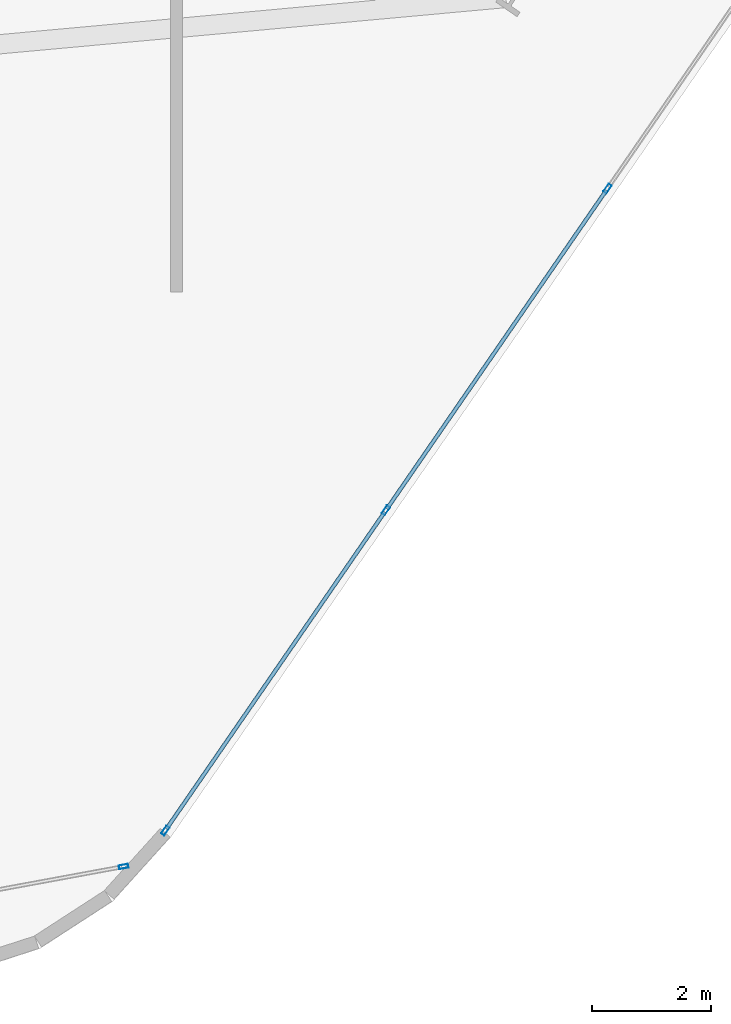
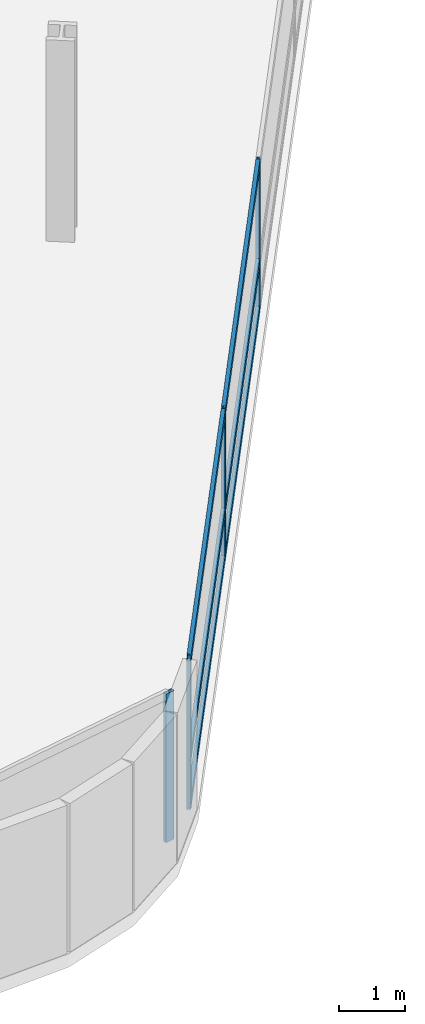
# One storey, part 8 of 27: 10 members, 2 elements without a shape of their own.
"""IFC4 building model written with IfcOpenShell, lengths in metres."""

from ifc_helpers import new_model, si_unit, direction, frame, origin, origin_2d, place, context, subcontext, project, spatial, hollow_rectangle, extrude, material, layer, layer_set, material_profile, profile_set, type_object, element, aggregate, save


model = new_model("IFC4")

# Units and contexts
model_context = context("Model", 3, precision=1e-05, world=origin(), true_north=direction((0.0, 1.0)))
body_context = subcontext(model_context, "Body", "Model", "MODEL_VIEW")
ifc_project = project(units=[si_unit("LENGTHUNIT", "METRE"), si_unit("AREAUNIT", "SQUARE_METRE"), si_unit("VOLUMEUNIT", "CUBIC_METRE"), si_unit("PLANEANGLEUNIT", "RADIAN"), si_unit("MASSUNIT", "GRAM", prefix="KILO")], contexts=[model_context])

# Site, building, storey
site_placement = place(None, origin())
site = spatial("IfcSite", under=ifc_project, at=site_placement, CompositionType="ELEMENT")
building_placement = place(site_placement, origin())
building = spatial("IfcBuilding", under=site, at=building_placement, Name="Varnelok Gate Tower", CompositionType="ELEMENT")
storey_placement = place(building_placement, frame((0.0, 0.0, 60.300048828125)))
storey = spatial("IfcBuildingStorey", under=building, at=storey_placement, Name="L14", CompositionType="ELEMENT", Elevation=60.300048828125)

# Curtain wall, members
ifc_material = material(Name="Anodized Aluminum Alloy 6063-T6", Category="aluminium")
ifc_layer_1 = layer(ifc_material, 0.179931640625)
ifc_layer_set_1 = layer_set([ifc_layer_1], Name="Anodized Aluminum Alloy 6063-T6")
curtain_wall_type_1 = type_object("IfcCurtainWallType", Name="CW3-HOTEL-VISION", PredefinedType="USERDEFINED", material=ifc_layer_set_1)
curtain_wall_1_placement = place(storey_placement, origin())
curtain_wall_1 = element("IfcCurtainWall", 1, at=curtain_wall_1_placement, inside=storey, type_object=curtain_wall_type_1, Name="L14 East End Vision Curtain Wall", ObjectType="UNITISED CURTAIN WALL", PredefinedType="USERDEFINED")
ifc_material_profile_1 = material_profile(ifc_material, hollow_rectangle(XDim=0.06494140625, YDim=0.159912109375, WallThickness=0.00390625, at=origin_2d()), Name="ALU160X65X4")
ifc_profile_set_1 = profile_set([ifc_material_profile_1], Name="Anodized Aluminum Alloy 6063-T6")
member_type_1 = type_object("IfcMemberType", Name="CW-MULL-160", PredefinedType="MULLION", material=ifc_profile_set_1)
member_1_placement = place(storey_placement, frame((67.64208984375, -2.265380859375, 0.0), z_axis=(0.0, 0.0, 1.0), x_axis=(0.823532685111, -0.567268822124, 0.0)))
member_1 = element("IfcMember", 2, at=member_1_placement, type_object=member_type_1, Name="CW3 mullion 5", PredefinedType="MULLION", context=body_context, shape_type="SweptSolid", body=[
    extrude(hollow_rectangle(XDim=0.06494140625, YDim=0.159912109375, WallThickness=0.00390625, at=origin_2d()), origin(), (0.0, 0.0, 1.0), 2.72998046875),
])
member_2_placement = place(storey_placement, frame((63.9169921875, -7.67333984375, 0.0), z_axis=(0.0, 0.0, 1.0), x_axis=(0.823532685111, -0.567268822124, 0.0)))
member_2 = element("IfcMember", 3, at=member_2_placement, type_object=member_type_1, Name="CW3 mullion 6", PredefinedType="MULLION", context=body_context, shape_type="SweptSolid", body=[
    extrude(hollow_rectangle(XDim=0.06494140625, YDim=0.159912109375, WallThickness=0.00390625, at=origin_2d()), origin(), (0.0, 0.0, 1.0), 2.72998046875),
])
member_3_placement = place(storey_placement, frame((60.21044921875, -13.054443359375, 0.0), z_axis=(0.0, 0.0, 1.0), x_axis=(0.823532685111, -0.567268822124, 0.0)))
member_3 = element("IfcMember", 4, at=member_3_placement, type_object=member_type_1, Name="CW3 mullion 7", PredefinedType="MULLION", context=body_context, shape_type="SweptSolid", body=[
    extrude(hollow_rectangle(XDim=0.06494140625, YDim=0.159912109375, WallThickness=0.00390625, at=origin_2d()), origin(), (0.0, 0.0, 1.0), 2.72998046875),
])

# Curtain wall, member
ifc_layer_2 = layer(ifc_material, 0.179931640625)
ifc_layer_set_2 = layer_set([ifc_layer_2], Name="Anodized Aluminum Alloy 6063-T6")
curtain_wall_type_2 = type_object("IfcCurtainWallType", Name="CW5-WINDCORNER-GLAZ", PredefinedType="USERDEFINED", material=ifc_layer_set_2)
curtain_wall_2_placement = place(storey_placement, origin())
curtain_wall_2 = element("IfcCurtainWall", 5, at=curtain_wall_2_placement, inside=storey, type_object=curtain_wall_type_2, Name="L14 Wind-Shaped Corner Curtain Wall SE", ObjectType="STRUCTURAL GLAZING", PredefinedType="USERDEFINED")
member_4_placement = place(storey_placement, frame((59.510498046875, -13.65966796875, 0.0), z_axis=(0.0, 0.0, 1.0), x_axis=(-0.181203239917, 0.983445670001, 0.0)))
member_4 = element("IfcMember", 6, at=member_4_placement, type_object=member_type_1, Name="CW5 mullion 2", PredefinedType="MULLION", context=body_context, shape_type="SweptSolid", body=[
    extrude(hollow_rectangle(XDim=0.06494140625, YDim=0.159912109375, WallThickness=0.00390625, at=origin_2d()), origin(), (0.0, 0.0, 1.0), 2.72998046875),
])
aggregate(curtain_wall_2, [member_4])

# Member
ifc_material_profile_2 = material_profile(ifc_material, hollow_rectangle(XDim=0.06494140625, YDim=0.159912109375, WallThickness=0.00390625, at=origin_2d()), Name="ALU160X65X4")
ifc_profile_set_2 = profile_set([ifc_material_profile_2], Name="Anodized Aluminum Alloy 6063-T6")
member_type_2 = type_object("IfcMemberType", Name="CW-TRAN-160", PredefinedType="USERDEFINED", material=ifc_profile_set_2)
member_5_placement = place(storey_placement, frame((67.623779296875, -2.292236328125, 0.032470703125), z_axis=(-0.567279204469, -0.823525533409, 0.0), x_axis=(0.823525533409, -0.567279204469, 0.0)))
member_5 = element("IfcMember", 7, at=member_5_placement, type_object=member_type_2, Name="CW3 transom 5.1", ObjectType="TRANSOM", PredefinedType="USERDEFINED", context=body_context, shape_type="SweptSolid", body=[
    extrude(hollow_rectangle(XDim=0.06494140625, YDim=0.159912109375, WallThickness=0.00390625, at=origin_2d()), origin(), (0.0, 0.0, 1.0), 6.501708984375),
])

member_6_placement = place(storey_placement, frame((67.623779296875, -2.292236328125, 0.89990234375), z_axis=(-0.567279204469, -0.823525533409, 0.0), x_axis=(0.823525533409, -0.567279204469, 0.0)))
member_6 = element("IfcMember", 8, at=member_6_placement, type_object=member_type_2, Name="CW3 transom 5.2", ObjectType="TRANSOM", PredefinedType="USERDEFINED", context=body_context, shape_type="SweptSolid", body=[
    extrude(hollow_rectangle(XDim=0.06494140625, YDim=0.159912109375, WallThickness=0.00390625, at=origin_2d()), origin(), (0.0, 0.0, 1.0), 6.501708984375),
])

member_7_placement = place(storey_placement, frame((67.623779296875, -2.292236328125, 2.697509765625), z_axis=(-0.567279204469, -0.823525533409, 0.0), x_axis=(0.823525533409, -0.567279204469, 0.0)))
member_7 = element("IfcMember", 9, at=member_7_placement, type_object=member_type_2, Name="CW3 transom 5.3", ObjectType="TRANSOM", PredefinedType="USERDEFINED", context=body_context, shape_type="SweptSolid", body=[
    extrude(hollow_rectangle(XDim=0.06494140625, YDim=0.159912109375, WallThickness=0.00390625, at=origin_2d()), origin(), (0.0, 0.0, 1.0), 6.501708984375),
])

member_8_placement = place(storey_placement, frame((63.898681640625, -7.699951171875, 0.032470703125), z_axis=(-0.567281349446, -0.823524055854, 0.0), x_axis=(0.823524055854, -0.567281349446, 0.0)))
member_8 = element("IfcMember", 10, at=member_8_placement, type_object=member_type_2, Name="CW3 transom 6.1", ObjectType="TRANSOM", PredefinedType="USERDEFINED", context=body_context, shape_type="SweptSolid", body=[
    extrude(hollow_rectangle(XDim=0.06494140625, YDim=0.159912109375, WallThickness=0.00390625, at=origin_2d()), origin(), (0.0, 0.0, 1.0), 6.46923828125),
])

member_9_placement = place(storey_placement, frame((63.898681640625, -7.699951171875, 0.89990234375), z_axis=(-0.567281349446, -0.823524055854, 0.0), x_axis=(0.823524055854, -0.567281349446, 0.0)))
member_9 = element("IfcMember", 11, at=member_9_placement, type_object=member_type_2, Name="CW3 transom 6.2", ObjectType="TRANSOM", PredefinedType="USERDEFINED", context=body_context, shape_type="SweptSolid", body=[
    extrude(hollow_rectangle(XDim=0.06494140625, YDim=0.159912109375, WallThickness=0.00390625, at=origin_2d()), origin(), (0.0, 0.0, 1.0), 6.46923828125),
])

member_10_placement = place(storey_placement, frame((63.898681640625, -7.699951171875, 2.697509765625), z_axis=(-0.567281349446, -0.823524055854, 0.0), x_axis=(0.823524055854, -0.567281349446, 0.0)))
member_10 = element("IfcMember", 12, at=member_10_placement, type_object=member_type_2, Name="CW3 transom 6.3", ObjectType="TRANSOM", PredefinedType="USERDEFINED", context=body_context, shape_type="SweptSolid", body=[
    extrude(hollow_rectangle(XDim=0.06494140625, YDim=0.159912109375, WallThickness=0.00390625, at=origin_2d()), origin(), (0.0, 0.0, 1.0), 6.46923828125),
])

aggregate(curtain_wall_1, [member_1, member_2, member_3, member_5, member_6, member_7, member_8, member_9, member_10])

save(model, "model.ifc")
